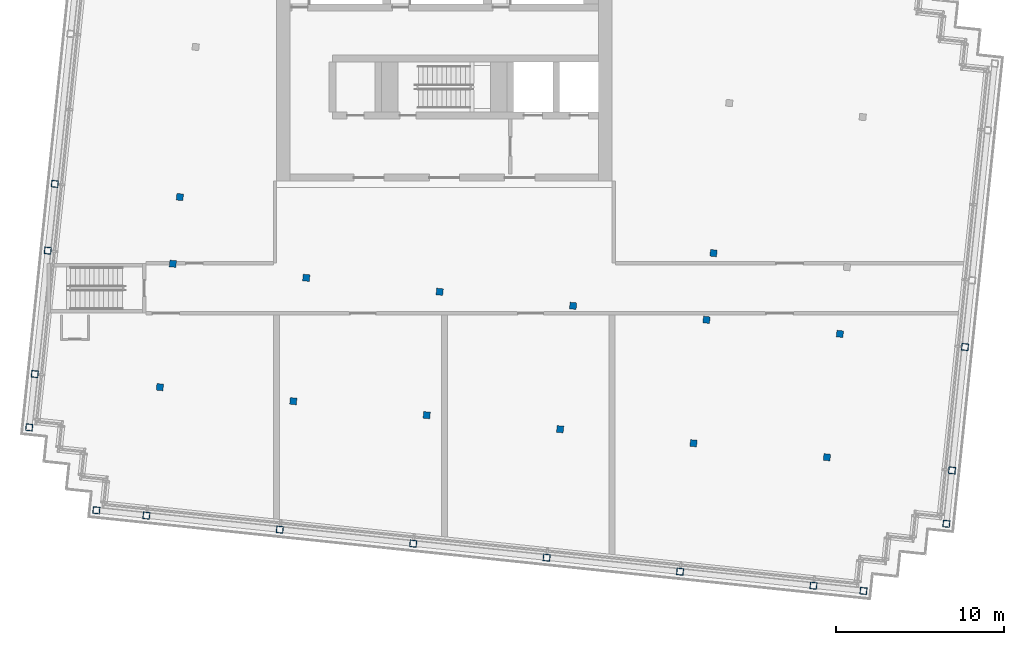
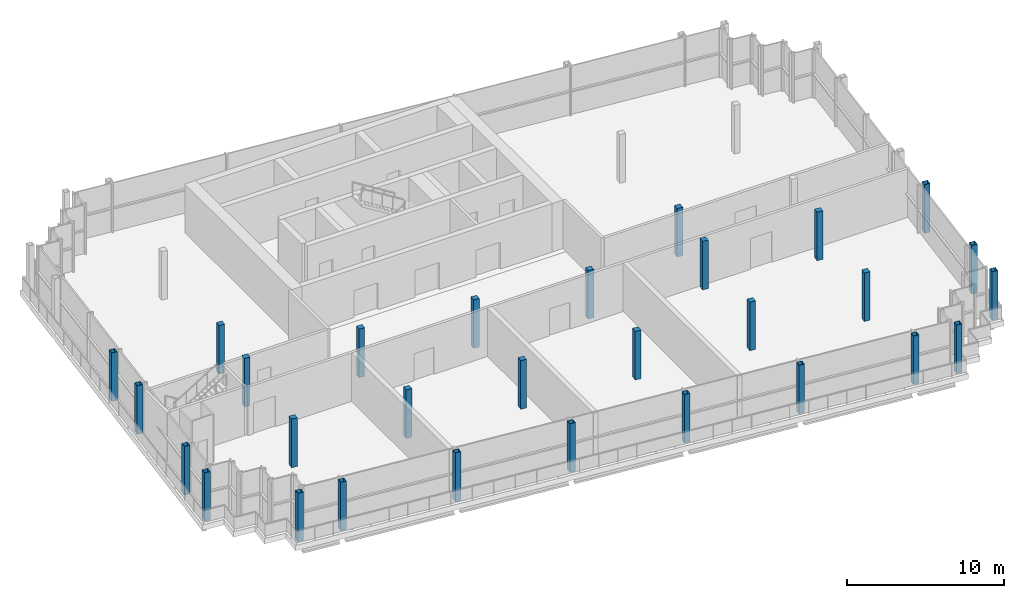
# One storey, part 1 of 13: 29 columns.
"""IFC4 building model written with IfcOpenShell, lengths in metres."""

from ifc_helpers import new_model, si_unit, direction, frame, origin, origin_2d, place, context, subcontext, project, spatial, rectangle, hollow_rectangle, extrude, material, material_profile, profile_set, type_object, element, save


model = new_model("IFC4")

# Units and contexts
model_context = context("Model", 3, precision=1e-05, world=origin(), true_north=direction((0.0, 1.0)))
body_context = subcontext(model_context, "Body", "Model", "MODEL_VIEW")
ifc_project = project(units=[si_unit("LENGTHUNIT", "METRE"), si_unit("AREAUNIT", "SQUARE_METRE"), si_unit("VOLUMEUNIT", "CUBIC_METRE"), si_unit("PLANEANGLEUNIT", "RADIAN"), si_unit("MASSUNIT", "GRAM", prefix="KILO")], contexts=[model_context])

# Site, building, storey
site_placement = place(None, origin())
site = spatial("IfcSite", under=ifc_project, at=site_placement, CompositionType="ELEMENT")
building_placement = place(site_placement, origin())
building = spatial("IfcBuilding", under=site, at=building_placement, Name="Vidyagriha Tower", CompositionType="ELEMENT")
storey_placement = place(building_placement, frame((0.0, 0.0, 309.199951171875)))
storey = spatial("IfcBuildingStorey", under=building, at=storey_placement, Name="L79", CompositionType="ELEMENT", Elevation=309.199951171875)

# Columns
ifc_material_1 = material(Name="Steel ASTM A572 Grade 50", Category="steel")
ifc_material_profile_1 = material_profile(ifc_material_1, hollow_rectangle(XDim=0.39990234375, YDim=0.39990234375, WallThickness=0.02001953125, at=origin_2d()), Name="BOX 400x400x20")
ifc_profile_set_1 = profile_set([ifc_material_profile_1], Name="Steel ASTM A572 Grade 50")
column_type_1 = type_object("IfcColumnType", Name="Exoskeleton column BOX 400x400x20", PredefinedType="COLUMN", material=ifc_profile_set_1)
for number, where, z_axis, x_axis, name in (
    (1, (-20.751953125, -13.24267578125, 0.0), (0.0, 0.0, 1.0), (0.994521895368, -0.104528463268, 0.0), "st-col-L79-B6-001"),
    (2, (-17.768310546875, -13.55615234375, 0.0), (0.0, 0.0, 1.0), (0.994521895368, -0.104528463268, 0.0), "st-col-L79-B6-002"),
    (3, (-9.812255859375, -14.392333984375, 0.0), (0.0, 0.0, 1.0), (0.994521895368, -0.104528463268, 0.0), "st-col-L79-B6-003"),
    (4, (-1.856201171875, -15.228515625, 0.0), (0.0, 0.0, 1.0), (0.994521895368, -0.104528463268, 0.0), "st-col-L79-B6-004"),
    (5, (6.10009765625, -16.06494140625, 0.0), (0.0, 0.0, 1.0), (0.994521895368, -0.104528463268, 0.0), "st-col-L79-B6-005"),
    (6, (14.056396484375, -16.901123046875, 0.0), (0.0, 0.0, 1.0), (0.994521895368, -0.104528463268, 0.0), "st-col-L79-B6-006"),
    (7, (22.012451171875, -17.7373046875, 0.0), (0.0, 0.0, 1.0), (0.994521895368, -0.104528463268, 0.0), "st-col-L79-B6-007"),
    (8, (24.99609375, -18.05078125, 0.0), (0.0, 0.0, 1.0), (0.994521895368, -0.104528463268, 0.0), "st-col-L79-B6-008"),
    (9, (-24.757080078125, -8.296875, 0.0), (0.0, 0.0, 1.0), (0.994521895368, -0.104528463268, 0.0), "st-col-L79-B6-009"),
    (10, (29.941650390625, -14.0458984375, 0.0), (0.0, 0.0, 1.0), (0.994521895368, -0.104528463268, 0.0), "st-col-L79-B6-010"),
    (11, (-24.422607421875, -5.114501953125, 0.0), (0.0, 0.0, 1.0), (0.994521895368, -0.104528463268, 0.0), "st-col-L79-B6-011"),
    (12, (30.276123046875, -10.863525390625, 0.0), (0.0, 0.0, 1.0), (0.994521895368, -0.104528463268, 0.0), "st-col-L79-B6-018"),
    (13, (-23.64892578125, 2.2451171875, 0.0), (0.0, 0.0, 1.0), (0.994521895368, -0.104528463268, 0.0), "st-col-L79-B6-019"),
    (14, (31.0498046875, -3.50390625, 0.0), (0.0, 0.0, 1.0), (0.994521895368, -0.104528463268, 0.0), "st-col-L79-B6-026"),
    (15, (-23.23095703125, 6.22314453125, 0.0), (0.0, 0.0, 1.0), (0.994521895368, -0.104528463268, 0.0), "st-col-L79-B6-027"),
):
    element("IfcColumn", number, at=place(storey_placement, frame(where, z_axis=z_axis, x_axis=x_axis)), inside=storey, type_object=column_type_1, Name=name, PredefinedType="COLUMN", context=body_context, shape_type="SweptSolid", body=[
        extrude(hollow_rectangle(XDim=0.39990234375, YDim=0.39990234375, WallThickness=0.02001953125, at=origin_2d()), origin(), (0.0, 0.0, 1.0), 3.780029296875),
    ])
ifc_material_2 = material(Name="Concrete C60/75", Category="concrete")
ifc_material_profile_2 = material_profile(ifc_material_2, rectangle(XDim=0.39990234375, YDim=0.39990234375, at=origin_2d()), Name="RC 400x400")
ifc_profile_set_2 = profile_set([ifc_material_profile_2], Name="Concrete C60/75")
column_type_2 = type_object("IfcColumnType", Name="Frame column RC 400x400", PredefinedType="COLUMN", material=ifc_profile_set_2)
for number, where, z_axis, x_axis, name in (
    (16, (-16.963623046875, -5.8984375, 0.0), (0.0, 0.0, 1.0), (0.994521895368, -0.104528463268, 0.0), "st-col-L79-B6-012"),
    (17, (-9.00732421875, -6.734619140625, 0.0), (0.0, 0.0, 1.0), (0.994521895368, -0.104528463268, 0.0), "st-col-L79-B6-013"),
    (18, (-1.05126953125, -7.57080078125, 0.0), (0.0, 0.0, 1.0), (0.994521895368, -0.104528463268, 0.0), "st-col-L79-B6-014"),
    (19, (6.905029296875, -8.406982421875, 0.0), (0.0, 0.0, 1.0), (0.994521895368, -0.104528463268, 0.0), "st-col-L79-B6-015"),
    (20, (14.861083984375, -9.243408203125, 0.0), (0.0, 0.0, 1.0), (0.994521895368, -0.104528463268, 0.0), "st-col-L79-B6-016"),
    (21, (22.8173828125, -10.07958984375, 0.0), (0.0, 0.0, 1.0), (0.994521895368, -0.104528463268, 0.0), "st-col-L79-B6-017"),
    (22, (-16.190185546875, 1.461181640625, 0.0), (0.0, 0.0, 1.0), (0.994521895368, -0.104528463268, 0.0), "st-col-L79-B6-020"),
    (23, (-8.23388671875, 0.625, 0.0), (0.0, 0.0, 1.0), (0.994521895368, -0.104528463268, 0.0), "st-col-L79-B6-021"),
    (24, (-0.277587890625, -0.21142578125, 0.0), (0.0, 0.0, 1.0), (0.994521895368, -0.104528463268, 0.0), "st-col-L79-B6-022"),
    (25, (7.678466796875, -1.047607421875, 0.0), (0.0, 0.0, 1.0), (0.994521895368, -0.104528463268, 0.0), "st-col-L79-B6-023"),
    (26, (15.634521484375, -1.8837890625, 0.0), (0.0, 0.0, 1.0), (0.994521895368, -0.104528463268, 0.0), "st-col-L79-B6-024"),
    (27, (23.5908203125, -2.72021484375, 0.0), (0.0, 0.0, 1.0), (0.994521895368, -0.104528463268, 0.0), "st-col-L79-B6-025"),
    (28, (-15.77197265625, 5.439208984375, 0.0), (0.0, 0.0, 1.0), (0.994521895368, -0.104528463268, 0.0), "st-col-L79-B6-028"),
    (29, (16.052734375, 2.09423828125, 0.0), (0.0, 0.0, 1.0), (0.994521895368, -0.104528463268, 0.0), "st-col-L79-B6-029"),
):
    element("IfcColumn", number, at=place(storey_placement, frame(where, z_axis=z_axis, x_axis=x_axis)), inside=storey, type_object=column_type_2, Name=name, PredefinedType="COLUMN", context=body_context, shape_type="SweptSolid", body=[
        extrude(rectangle(XDim=0.39990234375, YDim=0.39990234375, at=origin_2d()), origin(), (0.0, 0.0, 1.0), 3.780029296875),
    ])

save(model, "model.ifc")
